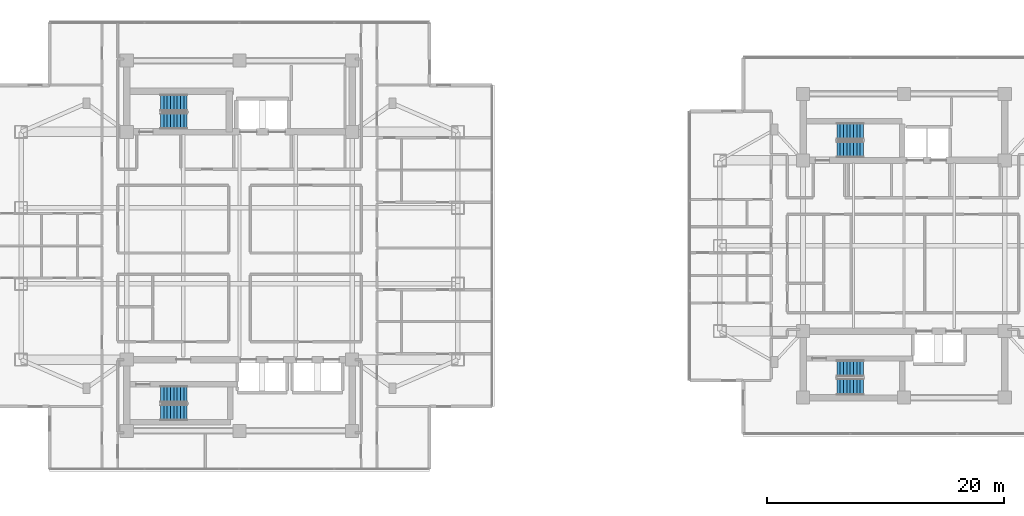
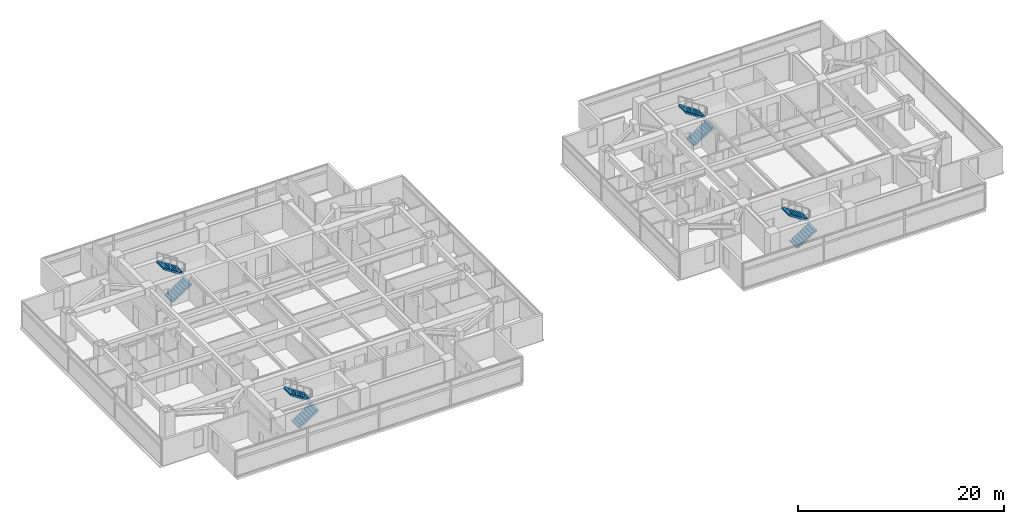
# One storey, part 18 of 24: 8 stair flights, 4 elements without a shape of their own.
"""IFC4 building model written with IfcOpenShell, lengths in metres."""

from ifc_helpers import new_model, si_unit, direction, frame, origin, place, context, subcontext, project, spatial, polyline, outline, extrude, material, type_object, element, aggregate, save


model = new_model("IFC4")

# Units and contexts
model_context = context("Model", 3, precision=1e-05, world=origin(), true_north=direction((0.0, 1.0)))
body_context = subcontext(model_context, "Body", "Model", "MODEL_VIEW")
ifc_project = project(units=[si_unit("LENGTHUNIT", "METRE"), si_unit("AREAUNIT", "SQUARE_METRE"), si_unit("VOLUMEUNIT", "CUBIC_METRE"), si_unit("PLANEANGLEUNIT", "RADIAN"), si_unit("MASSUNIT", "GRAM", prefix="KILO")], contexts=[model_context])

# Site, building, storey
site_placement = place(None, origin())
site = spatial("IfcSite", under=ifc_project, at=site_placement, CompositionType="ELEMENT")
building_placement = place(site_placement, origin())
building = spatial("IfcBuilding", under=site, at=building_placement, Name="Mirazonda Arch Towers", CompositionType="ELEMENT")
storey_placement = place(building_placement, frame((0.0, 0.0, 134.60009765625)))
storey = spatial("IfcBuildingStorey", under=building, at=storey_placement, Name="L38", CompositionType="ELEMENT", Elevation=134.60009765625)

# Stair, stair flights
ifc_material = material(Name="Concrete C40/50", Category="concrete")
stair_type = type_object("IfcStairType", Name="STAIR-CORE-1400", PredefinedType="HALF_TURN_STAIR", material=ifc_material)
stair_1_placement = place(storey_placement, origin())
stair_1 = element("IfcStair", 1, at=stair_1_placement, inside=storey, type_object=stair_type, Name="L38 Protected Exit Stair ST-T1N", PredefinedType="HALF_TURN_STAIR")
stair_flight_type = type_object("IfcStairFlightType", Name="FLIGHT-1400", PredefinedType="STRAIGHT", material=ifc_material)
stair_flight_1_placement = place(storey_placement, frame((13.85009765625, 38.52001953125, 0.0), z_axis=(0.0, 0.0, 1.0), x_axis=(1.0, 0.0, 0.0)))
stair_flight_1 = element("IfcStairFlight", 2, at=stair_flight_1_placement, type_object=stair_flight_type, Name="ST-T1N flight 1", NumberOfRisers=9, NumberOfTreads=8, PredefinedType="STRAIGHT", RiserHeight=0.183333333, TreadLength=0.28, context=body_context, shape_type="SweptSolid", body=[
    extrude(outline(polyline([(0.0, 0.0), (0.0, 0.183349609375), (0.280029296875, 0.183349609375), (0.280029296875, 0.36669921875), (0.56005859375, 0.36669921875), (0.56005859375, 0.550048828125), (0.840087890625, 0.550048828125), (0.840087890625, 0.7333984375), (1.1201171875, 0.7333984375), (1.1201171875, 0.916748046875), (1.39990234375, 0.916748046875), (1.39990234375, 1.10009765625), (1.679931640625, 1.10009765625), (1.679931640625, 1.283447265625), (1.9599609375, 1.283447265625), (1.9599609375, 1.466552734375), (2.239990234375, 1.466552734375), (2.239990234375, 1.64990234375), (2.239990234375, 1.275634765625), (0.2919921875, 0.0), (0.0, 0.0)])), frame((0.0, 0.699951171875, 0.0), z_axis=(0.0, -1.0, 0.0), x_axis=(1.0, 0.0, 0.0)), (0.0, 0.0, 1.0), 1.39990234375),
])
stair_flight_2_placement = place(storey_placement, frame((16.090087890625, 40.06005859375, 1.64990234375), z_axis=(0.0, 0.0, 1.0), x_axis=(-1.0, 0.0, 0.0)))
stair_flight_2 = element("IfcStairFlight", 3, at=stair_flight_2_placement, type_object=stair_flight_type, Name="ST-T1N flight 2", NumberOfRisers=9, NumberOfTreads=8, PredefinedType="STRAIGHT", RiserHeight=0.183333333, TreadLength=0.28, context=body_context, shape_type="SweptSolid", body=[
    extrude(outline(polyline([(0.0, 0.0), (0.0, 0.183349609375), (0.280029296875, 0.183349609375), (0.280029296875, 0.36669921875), (0.56005859375, 0.36669921875), (0.56005859375, 0.550048828125), (0.840087890625, 0.550048828125), (0.840087890625, 0.7333984375), (1.1201171875, 0.7333984375), (1.1201171875, 0.916748046875), (1.39990234375, 0.916748046875), (1.39990234375, 1.10009765625), (1.679931640625, 1.10009765625), (1.679931640625, 1.283447265625), (1.9599609375, 1.283447265625), (1.9599609375, 1.466552734375), (2.239990234375, 1.466552734375), (2.239990234375, 1.64990234375), (2.239990234375, 1.275634765625), (0.2919921875, 0.0), (0.0, 0.0)])), frame((0.0, 0.699951171875, 0.0), z_axis=(0.0, -1.0, 0.0), x_axis=(1.0, 0.0, 0.0)), (0.0, 0.0, 1.0), 1.39990234375),
])
aggregate(stair_1, [stair_flight_1, stair_flight_2])

stair_2_placement = place(storey_placement, origin())
stair_2 = element("IfcStair", 4, at=stair_2_placement, inside=storey, type_object=stair_type, Name="L38 Protected Exit Stair ST-T1S", PredefinedType="HALF_TURN_STAIR")
stair_flight_3_placement = place(storey_placement, frame((13.85009765625, 13.949951171875, 0.0), z_axis=(0.0, 0.0, 1.0), x_axis=(1.0, 0.0, 0.0)))
stair_flight_3 = element("IfcStairFlight", 5, at=stair_flight_3_placement, type_object=stair_flight_type, Name="ST-T1S flight 1", NumberOfRisers=9, NumberOfTreads=8, PredefinedType="STRAIGHT", RiserHeight=0.183333333, TreadLength=0.28, context=body_context, shape_type="SweptSolid", body=[
    extrude(outline(polyline([(0.0, 0.0), (0.0, 0.183349609375), (0.280029296875, 0.183349609375), (0.280029296875, 0.36669921875), (0.56005859375, 0.36669921875), (0.56005859375, 0.550048828125), (0.840087890625, 0.550048828125), (0.840087890625, 0.7333984375), (1.1201171875, 0.7333984375), (1.1201171875, 0.916748046875), (1.39990234375, 0.916748046875), (1.39990234375, 1.10009765625), (1.679931640625, 1.10009765625), (1.679931640625, 1.283447265625), (1.9599609375, 1.283447265625), (1.9599609375, 1.466552734375), (2.239990234375, 1.466552734375), (2.239990234375, 1.64990234375), (2.239990234375, 1.275634765625), (0.2919921875, 0.0), (0.0, 0.0)])), frame((0.0, 0.699951171875, 0.0), z_axis=(0.0, -1.0, 0.0), x_axis=(1.0, 0.0, 0.0)), (0.0, 0.0, 1.0), 1.39990234375),
])
stair_flight_4_placement = place(storey_placement, frame((16.090087890625, 15.489990234375, 1.64990234375), z_axis=(0.0, 0.0, 1.0), x_axis=(-1.0, 0.0, 0.0)))
stair_flight_4 = element("IfcStairFlight", 6, at=stair_flight_4_placement, type_object=stair_flight_type, Name="ST-T1S flight 2", NumberOfRisers=9, NumberOfTreads=8, PredefinedType="STRAIGHT", RiserHeight=0.183333333, TreadLength=0.28, context=body_context, shape_type="SweptSolid", body=[
    extrude(outline(polyline([(0.0, 0.0), (0.0, 0.183349609375), (0.280029296875, 0.183349609375), (0.280029296875, 0.36669921875), (0.56005859375, 0.36669921875), (0.56005859375, 0.550048828125), (0.840087890625, 0.550048828125), (0.840087890625, 0.7333984375), (1.1201171875, 0.7333984375), (1.1201171875, 0.916748046875), (1.39990234375, 0.916748046875), (1.39990234375, 1.10009765625), (1.679931640625, 1.10009765625), (1.679931640625, 1.283447265625), (1.9599609375, 1.283447265625), (1.9599609375, 1.466552734375), (2.239990234375, 1.466552734375), (2.239990234375, 1.64990234375), (2.239990234375, 1.275634765625), (0.2919921875, 0.0), (0.0, 0.0)])), frame((0.0, 0.699951171875, 0.0), z_axis=(0.0, -1.0, 0.0), x_axis=(1.0, 0.0, 0.0)), (0.0, 0.0, 1.0), 1.39990234375),
])
aggregate(stair_2, [stair_flight_3, stair_flight_4])

stair_3_placement = place(storey_placement, origin())
stair_3 = element("IfcStair", 7, at=stair_3_placement, inside=storey, type_object=stair_type, Name="L38 Protected Exit Stair ST-T2N", PredefinedType="HALF_TURN_STAIR")
stair_flight_5_placement = place(storey_placement, frame((70.85009765625, 36.1201171875, 0.0), z_axis=(0.0, 0.0, 1.0), x_axis=(1.0, 0.0, 0.0)))
stair_flight_5 = element("IfcStairFlight", 8, at=stair_flight_5_placement, type_object=stair_flight_type, Name="ST-T2N flight 1", NumberOfRisers=9, NumberOfTreads=8, PredefinedType="STRAIGHT", RiserHeight=0.183333333, TreadLength=0.28, context=body_context, shape_type="SweptSolid", body=[
    extrude(outline(polyline([(0.0, 0.0), (0.0, 0.183349609375), (0.280029296875, 0.183349609375), (0.280029296875, 0.36669921875), (0.56005859375, 0.36669921875), (0.56005859375, 0.550048828125), (0.840087890625, 0.550048828125), (0.840087890625, 0.7333984375), (1.1201171875, 0.7333984375), (1.1201171875, 0.916748046875), (1.39990234375, 0.916748046875), (1.39990234375, 1.10009765625), (1.679931640625, 1.10009765625), (1.679931640625, 1.283447265625), (1.9599609375, 1.283447265625), (1.9599609375, 1.466552734375), (2.239990234375, 1.466552734375), (2.239990234375, 1.64990234375), (2.239990234375, 1.275634765625), (0.2919921875, 0.0), (0.0, 0.0)])), frame((0.0, 0.699951171875, 0.0), z_axis=(0.0, -1.0, 0.0), x_axis=(1.0, 0.0, 0.0)), (0.0, 0.0, 1.0), 1.39990234375),
])
stair_flight_6_placement = place(storey_placement, frame((73.090087890625, 37.659912109375, 1.64990234375), z_axis=(0.0, 0.0, 1.0), x_axis=(-1.0, 0.0, 0.0)))
stair_flight_6 = element("IfcStairFlight", 9, at=stair_flight_6_placement, type_object=stair_flight_type, Name="ST-T2N flight 2", NumberOfRisers=9, NumberOfTreads=8, PredefinedType="STRAIGHT", RiserHeight=0.183333333, TreadLength=0.28, context=body_context, shape_type="SweptSolid", body=[
    extrude(outline(polyline([(0.0, 0.0), (0.0, 0.183349609375), (0.280029296875, 0.183349609375), (0.280029296875, 0.36669921875), (0.56005859375, 0.36669921875), (0.56005859375, 0.550048828125), (0.840087890625, 0.550048828125), (0.840087890625, 0.7333984375), (1.1201171875, 0.7333984375), (1.1201171875, 0.916748046875), (1.39990234375, 0.916748046875), (1.39990234375, 1.10009765625), (1.679931640625, 1.10009765625), (1.679931640625, 1.283447265625), (1.9599609375, 1.283447265625), (1.9599609375, 1.466552734375), (2.239990234375, 1.466552734375), (2.239990234375, 1.64990234375), (2.239990234375, 1.275634765625), (0.2919921875, 0.0), (0.0, 0.0)])), frame((0.0, 0.699951171875, 0.0), z_axis=(0.0, -1.0, 0.0), x_axis=(1.0, 0.0, 0.0)), (0.0, 0.0, 1.0), 1.39990234375),
])
aggregate(stair_3, [stair_flight_5, stair_flight_6])

stair_4_placement = place(storey_placement, origin())
stair_4 = element("IfcStair", 10, at=stair_4_placement, inside=storey, type_object=stair_type, Name="L38 Protected Exit Stair ST-T2S", PredefinedType="HALF_TURN_STAIR")
stair_flight_7_placement = place(storey_placement, frame((70.85009765625, 16.1201171875, 0.0), z_axis=(0.0, 0.0, 1.0), x_axis=(1.0, 0.0, 0.0)))
stair_flight_7 = element("IfcStairFlight", 11, at=stair_flight_7_placement, type_object=stair_flight_type, Name="ST-T2S flight 1", NumberOfRisers=9, NumberOfTreads=8, PredefinedType="STRAIGHT", RiserHeight=0.183333333, TreadLength=0.28, context=body_context, shape_type="SweptSolid", body=[
    extrude(outline(polyline([(0.0, 0.0), (0.0, 0.183349609375), (0.280029296875, 0.183349609375), (0.280029296875, 0.36669921875), (0.56005859375, 0.36669921875), (0.56005859375, 0.550048828125), (0.840087890625, 0.550048828125), (0.840087890625, 0.7333984375), (1.1201171875, 0.7333984375), (1.1201171875, 0.916748046875), (1.39990234375, 0.916748046875), (1.39990234375, 1.10009765625), (1.679931640625, 1.10009765625), (1.679931640625, 1.283447265625), (1.9599609375, 1.283447265625), (1.9599609375, 1.466552734375), (2.239990234375, 1.466552734375), (2.239990234375, 1.64990234375), (2.239990234375, 1.275634765625), (0.2919921875, 0.0), (0.0, 0.0)])), frame((0.0, 0.699951171875, 0.0), z_axis=(0.0, -1.0, 0.0), x_axis=(1.0, 0.0, 0.0)), (0.0, 0.0, 1.0), 1.39990234375),
])
stair_flight_8_placement = place(storey_placement, frame((73.090087890625, 17.659912109375, 1.64990234375), z_axis=(0.0, 0.0, 1.0), x_axis=(-1.0, 0.0, 0.0)))
stair_flight_8 = element("IfcStairFlight", 12, at=stair_flight_8_placement, type_object=stair_flight_type, Name="ST-T2S flight 2", NumberOfRisers=9, NumberOfTreads=8, PredefinedType="STRAIGHT", RiserHeight=0.183333333, TreadLength=0.28, context=body_context, shape_type="SweptSolid", body=[
    extrude(outline(polyline([(0.0, 0.0), (0.0, 0.183349609375), (0.280029296875, 0.183349609375), (0.280029296875, 0.36669921875), (0.56005859375, 0.36669921875), (0.56005859375, 0.550048828125), (0.840087890625, 0.550048828125), (0.840087890625, 0.7333984375), (1.1201171875, 0.7333984375), (1.1201171875, 0.916748046875), (1.39990234375, 0.916748046875), (1.39990234375, 1.10009765625), (1.679931640625, 1.10009765625), (1.679931640625, 1.283447265625), (1.9599609375, 1.283447265625), (1.9599609375, 1.466552734375), (2.239990234375, 1.466552734375), (2.239990234375, 1.64990234375), (2.239990234375, 1.275634765625), (0.2919921875, 0.0), (0.0, 0.0)])), frame((0.0, 0.699951171875, 0.0), z_axis=(0.0, -1.0, 0.0), x_axis=(1.0, 0.0, 0.0)), (0.0, 0.0, 1.0), 1.39990234375),
])
aggregate(stair_4, [stair_flight_7, stair_flight_8])

save(model, "model.ifc")
